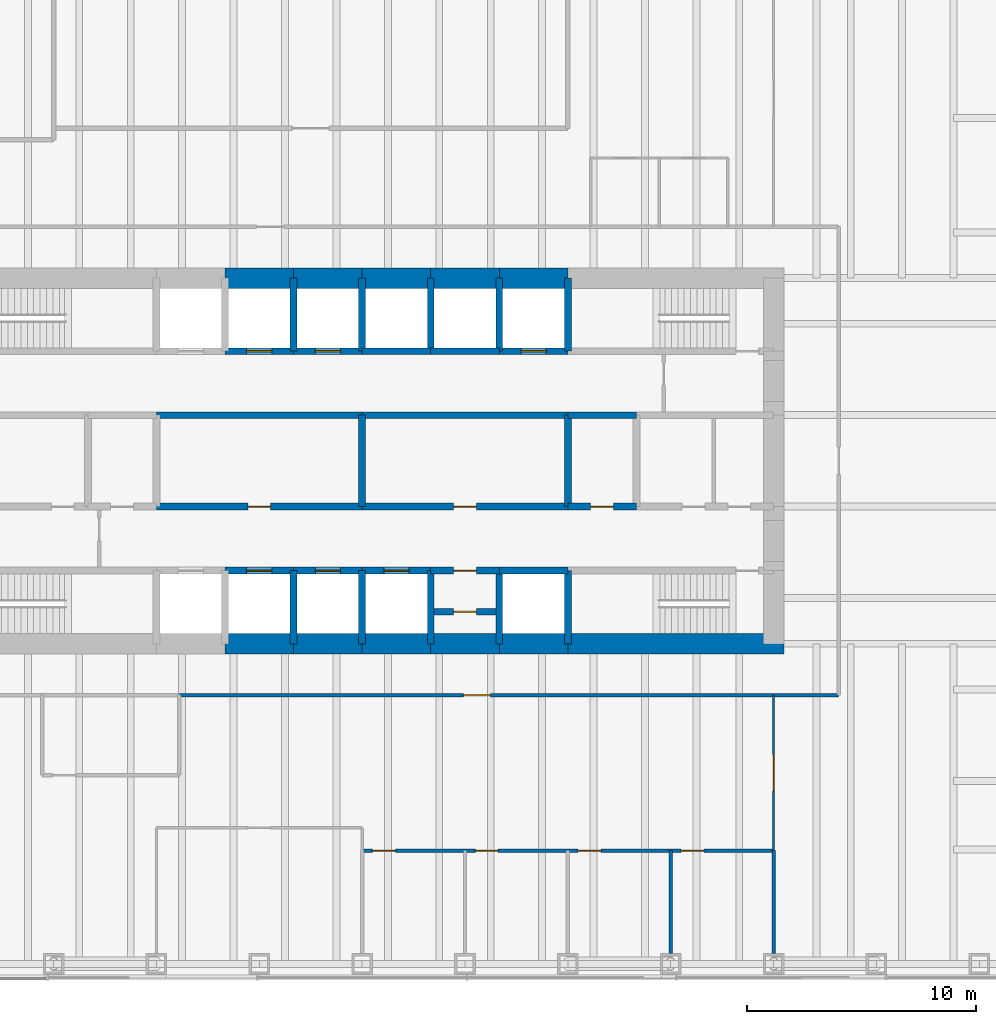
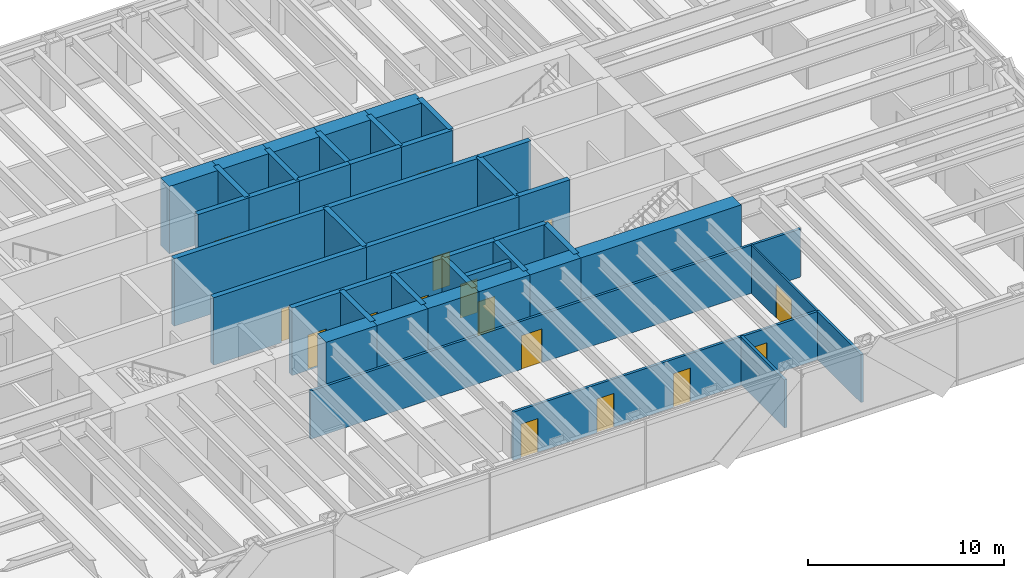
# One storey, part 12 of 15: 45 walls, 17 doors, 17 openings.
"""IFC4 building model written with IfcOpenShell, lengths in metres."""

from ifc_helpers import new_model, si_unit, direction, frame, frame_2d, origin, place, context, subcontext, project, spatial, rectangle, extrude, material, layer, layer_set, type_object, element, fill, save


model = new_model("IFC4")

# Units and contexts
model_context = context("Model", 3, precision=1e-05, world=origin(), true_north=direction((0.0, 1.0)))
body_context = subcontext(model_context, "Body", "Model", "MODEL_VIEW")
ifc_project = project(units=[si_unit("LENGTHUNIT", "METRE"), si_unit("AREAUNIT", "SQUARE_METRE"), si_unit("VOLUMEUNIT", "CUBIC_METRE"), si_unit("PLANEANGLEUNIT", "RADIAN"), si_unit("MASSUNIT", "GRAM", prefix="KILO")], contexts=[model_context])

# Site, building, storey
site_placement = place(None, origin())
site = spatial("IfcSite", under=ifc_project, at=site_placement, CompositionType="ELEMENT")
building_placement = place(site_placement, origin())
building = spatial("IfcBuilding", under=site, at=building_placement, Name="Rheinbord Bourse Tower", CompositionType="ELEMENT")
storey_placement = place(building_placement, frame((0.0, 0.0, 134.10009765625)))
storey = spatial("IfcBuildingStorey", under=building, at=storey_placement, Name="L29", CompositionType="ELEMENT", Elevation=134.10009765625)

# Wall, opening, door
ifc_material_1 = material(Name="Concrete C50/60", Category="concrete")
ifc_layer_1 = layer(ifc_material_1, 0.300048828125)
ifc_layer_set_1 = layer_set([ifc_layer_1], Name="CORE INNER WALL 300")
wall_type_1 = type_object("IfcWallType", Name="CORE INNER WALL 300", PredefinedType="SOLIDWALL", material=ifc_layer_set_1)
wall_1_placement = place(storey_placement, frame((30.0, 19.199951171875, 0.0), z_axis=(0.0, 0.0, 1.0), x_axis=(1.0, 0.0, 0.0)))
wall_1 = element("IfcWall", 1, at=wall_1_placement, inside=storey, type_object=wall_type_1, Name="Core wall A3 L29", PredefinedType="SOLIDWALL", context=body_context, shape_type="SweptSolid", body=[
    extrude(rectangle(XDim=3.0, YDim=0.300048828125, at=frame_2d((1.5, 0.0))), origin(), (0.0, 0.0, 1.0), 4.199951171875),
])
opening_1_placement = place(wall_1_placement, frame((0.949951171875, 0.0, 0.0)))
opening_1 = element("IfcOpeningElement", 2, at=opening_1_placement, cuts=wall_1, Name="Opening PB1", PredefinedType="OPENING", context=body_context, shape_type="SweptSolid", body=[
    extrude(rectangle(XDim=1.10009765625, YDim=2.199951171875, at=frame_2d((0.550048828125, 1.10009765625))), frame((0.0, 0.159912109375, 0.0), z_axis=(0.0, -1.0, 0.0), x_axis=(1.0, 0.0, 0.0)), (0.0, 0.0, 1.0), 0.320068359375),
])
ifc_material_2 = material(Name="Steel landing door", Category="steel")
door_type_1 = type_object("IfcDoorType", Name="LIFT LANDING DOOR 1100", OperationType="DOUBLE_DOOR_SLIDING", PredefinedType="USERDEFINED", material=ifc_material_2)
door_1_placement = place(opening_1_placement, origin())
door_1 = element("IfcDoor", 3, at=door_1_placement, inside=storey, type_object=door_type_1, Name="Lift landing door PB1 L29", ObjectType="LIFT LANDING DOOR", OperationType="DOUBLE_DOOR_SLIDING", OverallHeight=2.199951171875, OverallWidth=1.10009765625, PredefinedType="USERDEFINED", context=body_context, shape_type="SweptSolid", body=[
    extrude(rectangle(XDim=1.10009765625, YDim=2.199951171875, at=frame_2d((0.550048828125, 1.10009765625))), frame((0.0, 0.02490234375, 0.0), z_axis=(0.0, -1.0, 0.0), x_axis=(1.0, 0.0, 0.0)), (0.0, 0.0, 1.0), 0.050048828125),
])
fill(opening_1, door_1)

wall_2_placement = place(storey_placement, frame((33.0, 19.199951171875, 0.0), z_axis=(0.0, 0.0, 1.0), x_axis=(1.0, 0.0, 0.0)))
wall_2 = element("IfcWall", 4, at=wall_2_placement, inside=storey, type_object=wall_type_1, Name="Core wall A4 L29", PredefinedType="SOLIDWALL", context=body_context, shape_type="SweptSolid", body=[
    extrude(rectangle(XDim=3.0, YDim=0.300048828125, at=frame_2d((1.5, 0.0))), origin(), (0.0, 0.0, 1.0), 4.199951171875),
])
opening_2_placement = place(wall_2_placement, frame((0.949951171875, 0.0, 0.0)))
opening_2 = element("IfcOpeningElement", 5, at=opening_2_placement, cuts=wall_2, Name="Opening PB2", PredefinedType="OPENING", context=body_context, shape_type="SweptSolid", body=[
    extrude(rectangle(XDim=1.10009765625, YDim=2.199951171875, at=frame_2d((0.550048828125, 1.10009765625))), frame((0.0, 0.159912109375, 0.0), z_axis=(0.0, -1.0, 0.0), x_axis=(1.0, 0.0, 0.0)), (0.0, 0.0, 1.0), 0.320068359375),
])
door_2_placement = place(opening_2_placement, origin())
door_2 = element("IfcDoor", 6, at=door_2_placement, inside=storey, type_object=door_type_1, Name="Lift landing door PB2 L29", ObjectType="LIFT LANDING DOOR", OperationType="DOUBLE_DOOR_SLIDING", OverallHeight=2.199951171875, OverallWidth=1.10009765625, PredefinedType="USERDEFINED", context=body_context, shape_type="SweptSolid", body=[
    extrude(rectangle(XDim=1.10009765625, YDim=2.199951171875, at=frame_2d((0.550048828125, 1.10009765625))), frame((0.0, 0.02490234375, 0.0), z_axis=(0.0, -1.0, 0.0), x_axis=(1.0, 0.0, 0.0)), (0.0, 0.0, 1.0), 0.050048828125),
])
fill(opening_2, door_2)

wall_3_placement = place(storey_placement, frame((36.0, 19.199951171875, 0.0), z_axis=(0.0, 0.0, 1.0), x_axis=(1.0, 0.0, 0.0)))
wall_3 = element("IfcWall", 7, at=wall_3_placement, inside=storey, type_object=wall_type_1, Name="Core wall A5 L29", PredefinedType="SOLIDWALL", context=body_context, shape_type="SweptSolid", body=[
    extrude(rectangle(XDim=3.0, YDim=0.300048828125, at=frame_2d((1.5, 0.0))), origin(), (0.0, 0.0, 1.0), 4.199951171875),
])
opening_3_placement = place(wall_3_placement, frame((0.949951171875, 0.0, 0.0)))
opening_3 = element("IfcOpeningElement", 8, at=opening_3_placement, cuts=wall_3, Name="Opening PB3", PredefinedType="OPENING", context=body_context, shape_type="SweptSolid", body=[
    extrude(rectangle(XDim=1.10009765625, YDim=2.199951171875, at=frame_2d((0.550048828125, 1.10009765625))), frame((0.0, 0.159912109375, 0.0), z_axis=(0.0, -1.0, 0.0), x_axis=(1.0, 0.0, 0.0)), (0.0, 0.0, 1.0), 0.320068359375),
])
door_3_placement = place(opening_3_placement, origin())
door_3 = element("IfcDoor", 9, at=door_3_placement, inside=storey, type_object=door_type_1, Name="Lift landing door PB3 L29", ObjectType="LIFT LANDING DOOR", OperationType="DOUBLE_DOOR_SLIDING", OverallHeight=2.199951171875, OverallWidth=1.10009765625, PredefinedType="USERDEFINED", context=body_context, shape_type="SweptSolid", body=[
    extrude(rectangle(XDim=1.10009765625, YDim=2.199951171875, at=frame_2d((0.550048828125, 1.10009765625))), frame((0.0, 0.02490234375, 0.0), z_axis=(0.0, -1.0, 0.0), x_axis=(1.0, 0.0, 0.0)), (0.0, 0.0, 1.0), 0.050048828125),
])
fill(opening_3, door_3)

wall_4_placement = place(storey_placement, frame((39.0, 19.199951171875, 0.0), z_axis=(0.0, 0.0, 1.0), x_axis=(1.0, 0.0, 0.0)))
wall_4 = element("IfcWall", 10, at=wall_4_placement, inside=storey, type_object=wall_type_1, Name="Core wall A6 L29", PredefinedType="SOLIDWALL", context=body_context, shape_type="SweptSolid", body=[
    extrude(rectangle(XDim=3.0, YDim=0.300048828125, at=frame_2d((1.5, 0.0))), origin(), (0.0, 0.0, 1.0), 4.199951171875),
])
opening_4_placement = place(wall_4_placement, frame((1.0, 0.0, 0.0)))
opening_4 = element("IfcOpeningElement", 11, at=opening_4_placement, cuts=wall_4, Name="Opening 29R8", PredefinedType="OPENING", context=body_context, shape_type="SweptSolid", body=[
    extrude(rectangle(XDim=1.0, YDim=2.10009765625, at=frame_2d((0.5, 1.050048828125))), frame((0.0, 0.159912109375, 0.0), z_axis=(0.0, -1.0, 0.0), x_axis=(1.0, 0.0, 0.0)), (0.0, 0.0, 1.0), 0.320068359375),
])
ifc_material_3 = material(Name="Steel door", Category="steel")
door_type_2 = type_object("IfcDoorType", Name="DOOR 1000 EI30", OperationType="SINGLE_SWING_LEFT", PredefinedType="DOOR", material=ifc_material_3)
door_4_placement = place(opening_4_placement, origin())
door_4 = element("IfcDoor", 12, at=door_4_placement, inside=storey, type_object=door_type_2, Name="Stationery store door L29", OperationType="SINGLE_SWING_LEFT", OverallHeight=2.10009765625, OverallWidth=1.0, PredefinedType="DOOR", context=body_context, shape_type="SweptSolid", body=[
    extrude(rectangle(XDim=1.0, YDim=2.10009765625, at=frame_2d((0.5, 1.050048828125))), frame((0.0, 0.02490234375, 0.0), z_axis=(0.0, -1.0, 0.0), x_axis=(1.0, 0.0, 0.0)), (0.0, 0.0, 1.0), 0.050048828125),
])
fill(opening_4, door_4)

# Wall
wall_5_placement = place(storey_placement, frame((42.0, 19.199951171875, 0.0), z_axis=(0.0, 0.0, 1.0), x_axis=(1.0, 0.0, 0.0)))
element("IfcWall", 13, at=wall_5_placement, inside=storey, type_object=wall_type_1, Name="Core wall A7 L29", PredefinedType="SOLIDWALL", context=body_context, shape_type="SweptSolid", body=[
    extrude(rectangle(XDim=3.0, YDim=0.300048828125, at=frame_2d((1.5, 0.0))), origin(), (0.0, 0.0, 1.0), 4.199951171875),
])

# Wall, opening, door
wall_6_placement = place(storey_placement, frame((30.0, 28.800048828125, 0.0), z_axis=(0.0, 0.0, 1.0), x_axis=(1.0, 0.0, 0.0)))
wall_6 = element("IfcWall", 14, at=wall_6_placement, inside=storey, type_object=wall_type_1, Name="Core wall B3 L29", PredefinedType="SOLIDWALL", context=body_context, shape_type="SweptSolid", body=[
    extrude(rectangle(XDim=3.0, YDim=0.300048828125, at=frame_2d((1.5, 0.0))), origin(), (0.0, 0.0, 1.0), 4.199951171875),
])
opening_5_placement = place(wall_6_placement, frame((0.949951171875, 0.0, 0.0)))
opening_5 = element("IfcOpeningElement", 15, at=opening_5_placement, cuts=wall_6, Name="Opening PB4", PredefinedType="OPENING", context=body_context, shape_type="SweptSolid", body=[
    extrude(rectangle(XDim=1.10009765625, YDim=2.199951171875, at=frame_2d((0.550048828125, 1.10009765625))), frame((0.0, 0.159912109375, 0.0), z_axis=(0.0, -1.0, 0.0), x_axis=(1.0, 0.0, 0.0)), (0.0, 0.0, 1.0), 0.320068359375),
])
door_5_placement = place(opening_5_placement, origin())
door_5 = element("IfcDoor", 16, at=door_5_placement, inside=storey, type_object=door_type_1, Name="Lift landing door PB4 L29", ObjectType="LIFT LANDING DOOR", OperationType="DOUBLE_DOOR_SLIDING", OverallHeight=2.199951171875, OverallWidth=1.10009765625, PredefinedType="USERDEFINED", context=body_context, shape_type="SweptSolid", body=[
    extrude(rectangle(XDim=1.10009765625, YDim=2.199951171875, at=frame_2d((0.550048828125, 1.10009765625))), frame((0.0, 0.02490234375, 0.0), z_axis=(0.0, -1.0, 0.0), x_axis=(1.0, 0.0, 0.0)), (0.0, 0.0, 1.0), 0.050048828125),
])
fill(opening_5, door_5)

wall_7_placement = place(storey_placement, frame((33.0, 28.800048828125, 0.0), z_axis=(0.0, 0.0, 1.0), x_axis=(1.0, 0.0, 0.0)))
wall_7 = element("IfcWall", 17, at=wall_7_placement, inside=storey, type_object=wall_type_1, Name="Core wall B4 L29", PredefinedType="SOLIDWALL", context=body_context, shape_type="SweptSolid", body=[
    extrude(rectangle(XDim=3.0, YDim=0.300048828125, at=frame_2d((1.5, 0.0))), origin(), (0.0, 0.0, 1.0), 4.199951171875),
])
opening_6_placement = place(wall_7_placement, frame((0.949951171875, 0.0, 0.0)))
opening_6 = element("IfcOpeningElement", 18, at=opening_6_placement, cuts=wall_7, Name="Opening PB5", PredefinedType="OPENING", context=body_context, shape_type="SweptSolid", body=[
    extrude(rectangle(XDim=1.10009765625, YDim=2.199951171875, at=frame_2d((0.550048828125, 1.10009765625))), frame((0.0, 0.159912109375, 0.0), z_axis=(0.0, -1.0, 0.0), x_axis=(1.0, 0.0, 0.0)), (0.0, 0.0, 1.0), 0.320068359375),
])
door_6_placement = place(opening_6_placement, origin())
door_6 = element("IfcDoor", 19, at=door_6_placement, inside=storey, type_object=door_type_1, Name="Lift landing door PB5 L29", ObjectType="LIFT LANDING DOOR", OperationType="DOUBLE_DOOR_SLIDING", OverallHeight=2.199951171875, OverallWidth=1.10009765625, PredefinedType="USERDEFINED", context=body_context, shape_type="SweptSolid", body=[
    extrude(rectangle(XDim=1.10009765625, YDim=2.199951171875, at=frame_2d((0.550048828125, 1.10009765625))), frame((0.0, 0.02490234375, 0.0), z_axis=(0.0, -1.0, 0.0), x_axis=(1.0, 0.0, 0.0)), (0.0, 0.0, 1.0), 0.050048828125),
])
fill(opening_6, door_6)

# Walls
for number, where, z_axis, x_axis, name in (
    (20, (36.0, 28.800048828125, 0.0), (0.0, 0.0, 1.0), (1.0, 0.0, 0.0), "Core wall B5 L29"),
    (21, (39.0, 28.800048828125, 0.0), (0.0, 0.0, 1.0), (1.0, 0.0, 0.0), "Core wall B6 L29"),
):
    element("IfcWall", number, at=place(storey_placement, frame(where, z_axis=z_axis, x_axis=x_axis)), inside=storey, type_object=wall_type_1, Name=name, PredefinedType="SOLIDWALL", context=body_context, shape_type="SweptSolid", body=[
        extrude(rectangle(XDim=3.0, YDim=0.300048828125, at=frame_2d((1.5, 0.0))), origin(), (0.0, 0.0, 1.0), 4.199951171875),
    ])

# Wall, opening, door
wall_8_placement = place(storey_placement, frame((42.0, 28.800048828125, 0.0), z_axis=(0.0, 0.0, 1.0), x_axis=(1.0, 0.0, 0.0)))
wall_8 = element("IfcWall", 22, at=wall_8_placement, inside=storey, type_object=wall_type_1, Name="Core wall B7 L29", PredefinedType="SOLIDWALL", context=body_context, shape_type="SweptSolid", body=[
    extrude(rectangle(XDim=3.0, YDim=0.300048828125, at=frame_2d((1.5, 0.0))), origin(), (0.0, 0.0, 1.0), 4.199951171875),
])
opening_7_placement = place(wall_8_placement, frame((0.949951171875, 0.0, 0.0)))
opening_7 = element("IfcOpeningElement", 23, at=opening_7_placement, cuts=wall_8, Name="Opening FL2", PredefinedType="OPENING", context=body_context, shape_type="SweptSolid", body=[
    extrude(rectangle(XDim=1.10009765625, YDim=2.199951171875, at=frame_2d((0.550048828125, 1.10009765625))), frame((0.0, 0.159912109375, 0.0), z_axis=(0.0, -1.0, 0.0), x_axis=(1.0, 0.0, 0.0)), (0.0, 0.0, 1.0), 0.320068359375),
])
door_7_placement = place(opening_7_placement, origin())
door_7 = element("IfcDoor", 24, at=door_7_placement, inside=storey, type_object=door_type_1, Name="Lift landing door FL2 L29", ObjectType="LIFT LANDING DOOR", OperationType="DOUBLE_DOOR_SLIDING", OverallHeight=2.199951171875, OverallWidth=1.10009765625, PredefinedType="USERDEFINED", context=body_context, shape_type="SweptSolid", body=[
    extrude(rectangle(XDim=1.10009765625, YDim=2.199951171875, at=frame_2d((0.550048828125, 1.10009765625))), frame((0.0, 0.02490234375, 0.0), z_axis=(0.0, -1.0, 0.0), x_axis=(1.0, 0.0, 0.0)), (0.0, 0.0, 1.0), 0.050048828125),
])
fill(opening_7, door_7)

wall_9_placement = place(storey_placement, frame((27.0, 22.0, 0.0), z_axis=(0.0, 0.0, 1.0), x_axis=(1.0, 0.0, 0.0)))
wall_9 = element("IfcWall", 25, at=wall_9_placement, inside=storey, type_object=wall_type_1, Name="Core wall C3 L29", PredefinedType="SOLIDWALL", context=body_context, shape_type="SweptSolid", body=[
    extrude(rectangle(XDim=9.0, YDim=0.300048828125, at=frame_2d((4.5, 0.0))), origin(), (0.0, 0.0, 1.0), 4.199951171875),
])
opening_8_placement = place(wall_9_placement, frame((4.0, 0.0, 0.0)))
opening_8 = element("IfcOpeningElement", 26, at=opening_8_placement, cuts=wall_9, Name="Opening 29R3", PredefinedType="OPENING", context=body_context, shape_type="SweptSolid", body=[
    extrude(rectangle(XDim=1.0, YDim=2.10009765625, at=frame_2d((0.5, 1.050048828125))), frame((0.0, 0.159912109375, 0.0), z_axis=(0.0, -1.0, 0.0), x_axis=(1.0, 0.0, 0.0)), (0.0, 0.0, 1.0), 0.320068359375),
])
door_8_placement = place(opening_8_placement, origin())
door_8 = element("IfcDoor", 27, at=door_8_placement, inside=storey, type_object=door_type_2, Name="Riser door L29", OperationType="SINGLE_SWING_LEFT", OverallHeight=2.10009765625, OverallWidth=1.0, PredefinedType="DOOR", context=body_context, shape_type="SweptSolid", body=[
    extrude(rectangle(XDim=1.0, YDim=2.10009765625, at=frame_2d((0.5, 1.050048828125))), frame((0.0, 0.02490234375, 0.0), z_axis=(0.0, -1.0, 0.0), x_axis=(1.0, 0.0, 0.0)), (0.0, 0.0, 1.0), 0.050048828125),
])
fill(opening_8, door_8)

wall_10_placement = place(storey_placement, frame((36.0, 22.0, 0.0), z_axis=(0.0, 0.0, 1.0), x_axis=(1.0, 0.0, 0.0)))
wall_10 = element("IfcWall", 28, at=wall_10_placement, inside=storey, type_object=wall_type_1, Name="Core wall C4 L29", PredefinedType="SOLIDWALL", context=body_context, shape_type="SweptSolid", body=[
    extrude(rectangle(XDim=9.0, YDim=0.300048828125, at=frame_2d((4.5, 0.0))), origin(), (0.0, 0.0, 1.0), 4.199951171875),
])
opening_9_placement = place(wall_10_placement, frame((4.0, 0.0, 0.0)))
opening_9 = element("IfcOpeningElement", 29, at=opening_9_placement, cuts=wall_10, Name="Opening 29R4", PredefinedType="OPENING", context=body_context, shape_type="SweptSolid", body=[
    extrude(rectangle(XDim=1.0, YDim=2.10009765625, at=frame_2d((0.5, 1.050048828125))), frame((0.0, 0.159912109375, 0.0), z_axis=(0.0, -1.0, 0.0), x_axis=(1.0, 0.0, 0.0)), (0.0, 0.0, 1.0), 0.320068359375),
])
door_9_placement = place(opening_9_placement, origin())
door_9 = element("IfcDoor", 30, at=door_9_placement, inside=storey, type_object=door_type_2, Name="Store door L29", OperationType="SINGLE_SWING_LEFT", OverallHeight=2.10009765625, OverallWidth=1.0, PredefinedType="DOOR", context=body_context, shape_type="SweptSolid", body=[
    extrude(rectangle(XDim=1.0, YDim=2.10009765625, at=frame_2d((0.5, 1.050048828125))), frame((0.0, 0.02490234375, 0.0), z_axis=(0.0, -1.0, 0.0), x_axis=(1.0, 0.0, 0.0)), (0.0, 0.0, 1.0), 0.050048828125),
])
fill(opening_9, door_9)

wall_11_placement = place(storey_placement, frame((45.0, 22.0, 0.0), z_axis=(0.0, 0.0, 1.0), x_axis=(1.0, 0.0, 0.0)))
wall_11 = element("IfcWall", 31, at=wall_11_placement, inside=storey, type_object=wall_type_1, Name="Core wall C5 L29", PredefinedType="SOLIDWALL", context=body_context, shape_type="SweptSolid", body=[
    extrude(rectangle(XDim=3.0, YDim=0.300048828125, at=frame_2d((1.5, 0.0))), origin(), (0.0, 0.0, 1.0), 4.199951171875),
])
opening_10_placement = place(wall_11_placement, frame((1.0, 0.0, 0.0)))
opening_10 = element("IfcOpeningElement", 32, at=opening_10_placement, cuts=wall_11, Name="Opening 29R5", PredefinedType="OPENING", context=body_context, shape_type="SweptSolid", body=[
    extrude(rectangle(XDim=1.0, YDim=2.10009765625, at=frame_2d((0.5, 1.050048828125))), frame((0.0, 0.159912109375, 0.0), z_axis=(0.0, -1.0, 0.0), x_axis=(1.0, 0.0, 0.0)), (0.0, 0.0, 1.0), 0.320068359375),
])
ifc_material_4 = material(Name="Timber door", Category="wood")
door_type_3 = type_object("IfcDoorType", Name="DOOR 1000 WC", OperationType="SINGLE_SWING_LEFT", PredefinedType="DOOR", material=ifc_material_4)
door_10_placement = place(opening_10_placement, origin())
door_10 = element("IfcDoor", 33, at=door_10_placement, inside=storey, type_object=door_type_3, Name="Accessible WC door L29", OperationType="SINGLE_SWING_LEFT", OverallHeight=2.10009765625, OverallWidth=1.0, PredefinedType="DOOR", context=body_context, shape_type="SweptSolid", body=[
    extrude(rectangle(XDim=1.0, YDim=2.10009765625, at=frame_2d((0.5, 1.050048828125))), frame((0.0, 0.02490234375, 0.0), z_axis=(0.0, -1.0, 0.0), x_axis=(1.0, 0.0, 0.0)), (0.0, 0.0, 1.0), 0.050048828125),
])
fill(opening_10, door_10)

# Walls
for number, where, z_axis, x_axis, name in (
    (34, (27.0, 26.0, 0.0), (0.0, 0.0, 1.0), (1.0, 0.0, 0.0), "Core wall D3 L29"),
    (35, (36.0, 26.0, 0.0), (0.0, 0.0, 1.0), (1.0, 0.0, 0.0), "Core wall D4 L29"),
):
    element("IfcWall", number, at=place(storey_placement, frame(where, z_axis=z_axis, x_axis=x_axis)), inside=storey, type_object=wall_type_1, Name=name, PredefinedType="SOLIDWALL", context=body_context, shape_type="SweptSolid", body=[
        extrude(rectangle(XDim=9.0, YDim=0.300048828125, at=frame_2d((4.5, 0.0))), origin(), (0.0, 0.0, 1.0), 4.199951171875),
    ])
wall_12_placement = place(storey_placement, frame((45.0, 26.0, 0.0), z_axis=(0.0, 0.0, 1.0), x_axis=(1.0, 0.0, 0.0)))
element("IfcWall", 36, at=wall_12_placement, inside=storey, type_object=wall_type_1, Name="Core wall D5 L29", PredefinedType="SOLIDWALL", context=body_context, shape_type="SweptSolid", body=[
    extrude(rectangle(XDim=3.0, YDim=0.300048828125, at=frame_2d((1.5, 0.0))), origin(), (0.0, 0.0, 1.0), 4.199951171875),
])
for number, where, z_axis, x_axis, name in (
    (37, (33.0, 16.0, 0.0), (0.0, 0.0, 1.0), (0.0, 1.0, 0.0), "Core wall SX33 L29"),
    (38, (33.0, 28.800048828125, 0.0), (0.0, 0.0, 1.0), (0.0, 1.0, 0.0), "Core wall NX33 L29"),
    (39, (36.0, 16.0, 0.0), (0.0, 0.0, 1.0), (0.0, 1.0, 0.0), "Core wall SX36 L29"),
    (40, (36.0, 28.800048828125, 0.0), (0.0, 0.0, 1.0), (0.0, 1.0, 0.0), "Core wall NX36 L29"),
    (41, (39.0, 16.0, 0.0), (0.0, 0.0, 1.0), (0.0, 1.0, 0.0), "Core wall SX39 L29"),
    (42, (39.0, 28.800048828125, 0.0), (0.0, 0.0, 1.0), (0.0, 1.0, 0.0), "Core wall NX39 L29"),
    (43, (42.0, 16.0, 0.0), (0.0, 0.0, 1.0), (0.0, 1.0, 0.0), "Core wall SX42 L29"),
    (44, (42.0, 28.800048828125, 0.0), (0.0, 0.0, 1.0), (0.0, 1.0, 0.0), "Core wall NX42 L29"),
    (45, (45.0, 16.0, 0.0), (0.0, 0.0, 1.0), (0.0, 1.0, 0.0), "Core wall SX45 L29"),
    (46, (45.0, 28.800048828125, 0.0), (0.0, 0.0, 1.0), (0.0, 1.0, 0.0), "Core wall NX45 L29"),
):
    element("IfcWall", number, at=place(storey_placement, frame(where, z_axis=z_axis, x_axis=x_axis)), inside=storey, type_object=wall_type_1, Name=name, PredefinedType="SOLIDWALL", context=body_context, shape_type="SweptSolid", body=[
        extrude(rectangle(XDim=3.199951171875, YDim=0.300048828125, at=frame_2d((1.60009765625, 0.0))), origin(), (0.0, 0.0, 1.0), 4.199951171875),
    ])
for number, where, z_axis, x_axis, name in (
    (47, (36.0, 22.0, 0.0), (0.0, 0.0, 1.0), (0.0, 1.0, 0.0), "Core wall MX36 L29"),
    (48, (45.0, 22.0, 0.0), (0.0, 0.0, 1.0), (0.0, 1.0, 0.0), "Core wall MX45 L29"),
):
    element("IfcWall", number, at=place(storey_placement, frame(where, z_axis=z_axis, x_axis=x_axis)), inside=storey, type_object=wall_type_1, Name=name, PredefinedType="SOLIDWALL", context=body_context, shape_type="SweptSolid", body=[
        extrude(rectangle(XDim=4.0, YDim=0.300048828125, at=frame_2d((2.0, 0.0))), origin(), (0.0, 0.0, 1.0), 4.199951171875),
    ])

# Wall, opening, door
wall_13_placement = place(storey_placement, frame((39.14990234375, 17.39990234375, 0.0), z_axis=(0.0, 0.0, 1.0), x_axis=(1.0, 0.0, 0.0)))
wall_13 = element("IfcWall", 49, at=wall_13_placement, inside=storey, type_object=wall_type_1, Name="Core riser wall L29-6", PredefinedType="SOLIDWALL", context=body_context, shape_type="SweptSolid", body=[
    extrude(rectangle(XDim=2.7001953125, YDim=0.300048828125, at=frame_2d((1.35009765625, 0.0))), origin(), (0.0, 0.0, 1.0), 4.039794921875),
])
opening_11_placement = place(wall_13_placement, frame((0.85009765625, 0.0, 0.0)))
opening_11 = element("IfcOpeningElement", 50, at=opening_11_placement, cuts=wall_13, Name="Opening 29R12", PredefinedType="OPENING", context=body_context, shape_type="SweptSolid", body=[
    extrude(rectangle(XDim=1.0, YDim=2.10009765625, at=frame_2d((0.5, 1.050048828125))), frame((0.0, 0.159912109375, 0.0), z_axis=(0.0, -1.0, 0.0), x_axis=(1.0, 0.0, 0.0)), (0.0, 0.0, 1.0), 0.320068359375),
])
door_11_placement = place(opening_11_placement, origin())
door_11 = element("IfcDoor", 51, at=door_11_placement, inside=storey, type_object=door_type_2, Name="Comms riser door L29", OperationType="SINGLE_SWING_LEFT", OverallHeight=2.10009765625, OverallWidth=1.0, PredefinedType="DOOR", context=body_context, shape_type="SweptSolid", body=[
    extrude(rectangle(XDim=1.0, YDim=2.10009765625, at=frame_2d((0.5, 1.050048828125))), frame((0.0, 0.02490234375, 0.0), z_axis=(0.0, -1.0, 0.0), x_axis=(1.0, 0.0, 0.0)), (0.0, 0.0, 1.0), 0.050048828125),
])
fill(opening_11, door_11)

# Walls
ifc_material_5 = material(Name="Concrete C50/60", Category="concrete")
ifc_layer_2 = layer(ifc_material_5, 0.89990234375)
ifc_layer_set_2 = layer_set([ifc_layer_2], Name="CORE WALL 900")
wall_type_2 = type_object("IfcWallType", Name="CORE WALL 900", PredefinedType="SHEAR", material=ifc_layer_set_2)
for number, where, z_axis, x_axis, name in (
    (52, (30.0, 16.0, 0.0), (0.0, 0.0, 1.0), (1.0, 0.0, 0.0), "Core wall S3 L29"),
    (53, (33.0, 16.0, 0.0), (0.0, 0.0, 1.0), (1.0, 0.0, 0.0), "Core wall S4 L29"),
    (54, (36.0, 16.0, 0.0), (0.0, 0.0, 1.0), (1.0, 0.0, 0.0), "Core wall S5 L29"),
    (55, (39.0, 16.0, 0.0), (0.0, 0.0, 1.0), (1.0, 0.0, 0.0), "Core wall S6 L29"),
    (56, (42.0, 16.0, 0.0), (0.0, 0.0, 1.0), (1.0, 0.0, 0.0), "Core wall S7 L29"),
):
    element("IfcWall", number, at=place(storey_placement, frame(where, z_axis=z_axis, x_axis=x_axis)), inside=storey, type_object=wall_type_2, Name=name, PredefinedType="SHEAR", context=body_context, shape_type="SweptSolid", body=[
        extrude(rectangle(XDim=3.0, YDim=0.89990234375, at=frame_2d((1.5, 0.0))), origin(), (0.0, 0.0, 1.0), 4.199951171875),
    ])
wall_14_placement = place(storey_placement, frame((45.0, 16.0, 0.0), z_axis=(0.0, 0.0, 1.0), x_axis=(1.0, 0.0, 0.0)))
element("IfcWall", 57, at=wall_14_placement, inside=storey, type_object=wall_type_2, Name="Core wall S8 L29", PredefinedType="SHEAR", context=body_context, shape_type="SweptSolid", body=[
    extrude(rectangle(XDim=9.449951171875, YDim=0.89990234375, at=frame_2d((4.72509765625, 0.0))), origin(), (0.0, 0.0, 1.0), 4.199951171875),
])
for number, where, z_axis, x_axis, name in (
    (58, (45.0, 32.0, 0.0), (0.0, 0.0, 1.0), (-1.0, 0.0, 0.0), "Core wall N2 L29"),
    (59, (42.0, 32.0, 0.0), (0.0, 0.0, 1.0), (-1.0, 0.0, 0.0), "Core wall N3 L29"),
    (60, (39.0, 32.0, 0.0), (0.0, 0.0, 1.0), (-1.0, 0.0, 0.0), "Core wall N4 L29"),
    (61, (36.0, 32.0, 0.0), (0.0, 0.0, 1.0), (-1.0, 0.0, 0.0), "Core wall N5 L29"),
    (62, (33.0, 32.0, 0.0), (0.0, 0.0, 1.0), (-1.0, 0.0, 0.0), "Core wall N6 L29"),
):
    element("IfcWall", number, at=place(storey_placement, frame(where, z_axis=z_axis, x_axis=x_axis)), inside=storey, type_object=wall_type_2, Name=name, PredefinedType="SHEAR", context=body_context, shape_type="SweptSolid", body=[
        extrude(rectangle(XDim=3.0, YDim=0.89990234375, at=frame_2d((1.5, 0.0))), origin(), (0.0, 0.0, 1.0), 4.199951171875),
    ])

# Wall, opening, door
ifc_material_6 = material(Name="Gypsum board corridor partition", Category="gypsum board")
ifc_layer_3 = layer(ifc_material_6, 0.14990234375)
ifc_layer_set_3 = layer_set([ifc_layer_3], Name="CORRIDOR PARTITION 150 EI30")
wall_type_3 = type_object("IfcWallType", Name="CORRIDOR PARTITION 150 EI30", PredefinedType="PARTITIONING", material=ifc_layer_set_3)
wall_15_placement = place(storey_placement, frame((28.0, 13.75, 0.0), z_axis=(0.0, 0.0, 1.0), x_axis=(1.0, 0.0, 0.0)))
wall_15 = element("IfcWall", 63, at=wall_15_placement, inside=storey, type_object=wall_type_3, Name="Partition L29-10", PredefinedType="PARTITIONING", context=body_context, shape_type="SweptSolid", body=[
    extrude(rectangle(XDim=28.85009765625, YDim=0.14990234375, at=frame_2d((14.425048828125, 0.0))), origin(), (0.0, 0.0, 1.0), 3.0),
])
opening_12_placement = place(wall_15_placement, frame((12.425048828125, 0.0, 0.0)))
opening_12 = element("IfcOpeningElement", 64, at=opening_12_placement, cuts=wall_15, Name="Opening 29D23", PredefinedType="OPENING", context=body_context, shape_type="SweptSolid", body=[
    extrude(rectangle(XDim=1.199951171875, YDim=2.10009765625, at=frame_2d((0.60009765625, 1.050048828125))), frame((0.0, 0.0849609375, 0.0), z_axis=(0.0, -1.0, 0.0), x_axis=(1.0, 0.0, 0.0)), (0.0, 0.0, 1.0), 0.169921875),
])
ifc_material_7 = material(Name="Timber fire door", Category="wood")
door_type_4 = type_object("IfcDoorType", Name="SUITE ENTRANCE DOOR 1200 EI30", OperationType="SINGLE_SWING_LEFT", PredefinedType="DOOR", material=ifc_material_7)
door_12_placement = place(opening_12_placement, origin())
door_12 = element("IfcDoor", 65, at=door_12_placement, inside=storey, type_object=door_type_4, Name="Suite entrance 3 door L29", OperationType="SINGLE_SWING_LEFT", OverallHeight=2.10009765625, OverallWidth=1.199951171875, PredefinedType="DOOR", context=body_context, shape_type="SweptSolid", body=[
    extrude(rectangle(XDim=1.199951171875, YDim=2.10009765625, at=frame_2d((0.60009765625, 1.050048828125))), frame((0.0, 0.02490234375, 0.0), z_axis=(0.0, -1.0, 0.0), x_axis=(1.0, 0.0, 0.0)), (0.0, 0.0, 1.0), 0.050048828125),
])
fill(opening_12, door_12)

ifc_material_8 = material(Name="Toughened laminated glass partition", Category="glass")
ifc_layer_4 = layer(ifc_material_8, 0.10009765625)
ifc_layer_set_4 = layer_set([ifc_layer_4], Name="GLAZED PARTITION 100")
wall_type_4 = type_object("IfcWallType", Name="GLAZED PARTITION 100", PredefinedType="PARTITIONING", material=ifc_layer_set_4)
wall_16_placement = place(storey_placement, frame((54.0, 6.949951171875, 0.0), z_axis=(0.0, 0.0, 1.0), x_axis=(0.0, 1.0, 0.0)))
wall_16 = element("IfcWall", 66, at=wall_16_placement, inside=storey, type_object=wall_type_4, Name="Partition L29-39", PredefinedType="PARTITIONING", context=body_context, shape_type="SweptSolid", body=[
    extrude(rectangle(XDim=6.800048828125, YDim=0.10009765625, at=frame_2d((3.39990234375, 0.0))), origin(), (0.0, 0.0, 1.0), 3.0),
])
opening_13_placement = place(wall_16_placement, frame((2.60009765625, 0.0, 0.0)))
opening_13 = element("IfcOpeningElement", 67, at=opening_13_placement, cuts=wall_16, Name="Opening 29D19", PredefinedType="OPENING", context=body_context, shape_type="SweptSolid", body=[
    extrude(rectangle(XDim=1.60009765625, YDim=2.10009765625, at=frame_2d((0.800048828125, 1.050048828125))), frame((0.0, 0.06005859375, 0.0), z_axis=(0.0, -1.0, 0.0), x_axis=(1.0, 0.0, 0.0)), (0.0, 0.0, 1.0), 0.1201171875),
])
ifc_material_9 = material(Name="Timber door", Category="wood")
door_type_5 = type_object("IfcDoorType", Name="DOUBLE ROOM DOOR 1600", OperationType="DOUBLE_DOOR_DOUBLE_SWING", PredefinedType="DOOR", material=ifc_material_9)
door_13_placement = place(opening_13_placement, origin())
door_13 = element("IfcDoor", 68, at=door_13_placement, inside=storey, type_object=door_type_5, Name="Open area door L29", OperationType="SINGLE_SWING_LEFT", OverallHeight=2.10009765625, OverallWidth=1.60009765625, PredefinedType="DOOR", context=body_context, shape_type="SweptSolid", body=[
    extrude(rectangle(XDim=1.60009765625, YDim=2.10009765625, at=frame_2d((0.800048828125, 1.050048828125))), frame((0.0, 0.02490234375, 0.0), z_axis=(0.0, -1.0, 0.0), x_axis=(1.0, 0.0, 0.0)), (0.0, 0.0, 1.0), 0.050048828125),
])
fill(opening_13, door_13)

# Wall, openings, doors
ifc_material_10 = material(Name="Gypsum board partition", Category="gypsum board")
ifc_layer_5 = layer(ifc_material_10, 0.14990234375)
ifc_layer_set_5 = layer_set([ifc_layer_5], Name="PARTITION 150")
wall_type_5 = type_object("IfcWallType", Name="PARTITION 150", PredefinedType="PARTITIONING", material=ifc_layer_set_5)
wall_17_placement = place(storey_placement, frame((36.0, 6.949951171875, 0.0), z_axis=(0.0, 0.0, 1.0), x_axis=(1.0, 0.0, 0.0)))
wall_17 = element("IfcWall", 69, at=wall_17_placement, inside=storey, type_object=wall_type_5, Name="Partition L29-01", PredefinedType="PARTITIONING", context=body_context, shape_type="SweptSolid", body=[
    extrude(rectangle(XDim=18.0, YDim=0.14990234375, at=frame_2d((9.0, 0.0))), origin(), (0.0, 0.0, 1.0), 3.0),
])
opening_14_placement = place(wall_17_placement, frame((0.449951171875, 0.0, 0.0)))
opening_14 = element("IfcOpeningElement", 70, at=opening_14_placement, cuts=wall_17, Name="Opening 29D01", PredefinedType="OPENING", context=body_context, shape_type="SweptSolid", body=[
    extrude(rectangle(XDim=1.0, YDim=2.10009765625, at=frame_2d((0.5, 1.050048828125))), frame((0.0, 0.0849609375, 0.0), z_axis=(0.0, -1.0, 0.0), x_axis=(1.0, 0.0, 0.0)), (0.0, 0.0, 1.0), 0.169921875),
])
opening_15_placement = place(wall_17_placement, frame((4.949951171875, 0.0, 0.0)))
opening_15 = element("IfcOpeningElement", 71, at=opening_15_placement, cuts=wall_17, Name="Opening 29D02", PredefinedType="OPENING", context=body_context, shape_type="SweptSolid", body=[
    extrude(rectangle(XDim=1.0, YDim=2.10009765625, at=frame_2d((0.5, 1.050048828125))), frame((0.0, 0.0849609375, 0.0), z_axis=(0.0, -1.0, 0.0), x_axis=(1.0, 0.0, 0.0)), (0.0, 0.0, 1.0), 0.169921875),
])
opening_16_placement = place(wall_17_placement, frame((9.449951171875, 0.0, 0.0)))
opening_16 = element("IfcOpeningElement", 72, at=opening_16_placement, cuts=wall_17, Name="Opening 29D03", PredefinedType="OPENING", context=body_context, shape_type="SweptSolid", body=[
    extrude(rectangle(XDim=1.0, YDim=2.10009765625, at=frame_2d((0.5, 1.050048828125))), frame((0.0, 0.0849609375, 0.0), z_axis=(0.0, -1.0, 0.0), x_axis=(1.0, 0.0, 0.0)), (0.0, 0.0, 1.0), 0.169921875),
])
opening_17_placement = place(wall_17_placement, frame((13.949951171875, 0.0, 0.0)))
opening_17 = element("IfcOpeningElement", 73, at=opening_17_placement, cuts=wall_17, Name="Opening 29D04", PredefinedType="OPENING", context=body_context, shape_type="SweptSolid", body=[
    extrude(rectangle(XDim=1.0, YDim=2.10009765625, at=frame_2d((0.5, 1.050048828125))), frame((0.0, 0.0849609375, 0.0), z_axis=(0.0, -1.0, 0.0), x_axis=(1.0, 0.0, 0.0)), (0.0, 0.0, 1.0), 0.169921875),
])
ifc_material_11 = material(Name="Timber door", Category="wood")
door_type_6 = type_object("IfcDoorType", Name="ROOM DOOR 1000", OperationType="SINGLE_SWING_LEFT", PredefinedType="DOOR", material=ifc_material_11)
door_14_placement = place(opening_14_placement, origin())
door_14 = element("IfcDoor", 74, at=door_14_placement, inside=storey, type_object=door_type_6, Name="Office door L29", OperationType="SINGLE_SWING_LEFT", OverallHeight=2.10009765625, OverallWidth=1.0, PredefinedType="DOOR", context=body_context, shape_type="SweptSolid", body=[
    extrude(rectangle(XDim=1.0, YDim=2.10009765625, at=frame_2d((0.5, 1.050048828125))), frame((0.0, 0.02490234375, 0.0), z_axis=(0.0, -1.0, 0.0), x_axis=(1.0, 0.0, 0.0)), (0.0, 0.0, 1.0), 0.050048828125),
])
fill(opening_14, door_14)
door_15_placement = place(opening_15_placement, origin())
door_15 = element("IfcDoor", 75, at=door_15_placement, inside=storey, type_object=door_type_6, Name="Office door L29", OperationType="SINGLE_SWING_LEFT", OverallHeight=2.10009765625, OverallWidth=1.0, PredefinedType="DOOR", context=body_context, shape_type="SweptSolid", body=[
    extrude(rectangle(XDim=1.0, YDim=2.10009765625, at=frame_2d((0.5, 1.050048828125))), frame((0.0, 0.02490234375, 0.0), z_axis=(0.0, -1.0, 0.0), x_axis=(1.0, 0.0, 0.0)), (0.0, 0.0, 1.0), 0.050048828125),
])
fill(opening_15, door_15)
door_16_placement = place(opening_16_placement, origin())
door_16 = element("IfcDoor", 76, at=door_16_placement, inside=storey, type_object=door_type_6, Name="Office door L29", OperationType="SINGLE_SWING_RIGHT", OverallHeight=2.10009765625, OverallWidth=1.0, PredefinedType="DOOR", context=body_context, shape_type="SweptSolid", body=[
    extrude(rectangle(XDim=1.0, YDim=2.10009765625, at=frame_2d((0.5, 1.050048828125))), frame((0.0, 0.02490234375, 0.0), z_axis=(0.0, -1.0, 0.0), x_axis=(1.0, 0.0, 0.0)), (0.0, 0.0, 1.0), 0.050048828125),
])
fill(opening_16, door_16)
door_17_placement = place(opening_17_placement, origin())
door_17 = element("IfcDoor", 77, at=door_17_placement, inside=storey, type_object=door_type_6, Name="Office door L29", OperationType="SINGLE_SWING_RIGHT", OverallHeight=2.10009765625, OverallWidth=1.0, PredefinedType="DOOR", context=body_context, shape_type="SweptSolid", body=[
    extrude(rectangle(XDim=1.0, YDim=2.10009765625, at=frame_2d((0.5, 1.050048828125))), frame((0.0, 0.02490234375, 0.0), z_axis=(0.0, -1.0, 0.0), x_axis=(1.0, 0.0, 0.0)), (0.0, 0.0, 1.0), 0.050048828125),
])
fill(opening_17, door_17)

# Walls
for number, where, z_axis, x_axis, name in (
    (78, (49.5, 2.449951171875, 0.0), (0.0, 0.0, 1.0), (0.0, 1.0, 0.0), "Partition L29-36"),
    (79, (54.0, 2.449951171875, 0.0), (0.0, 0.0, 1.0), (0.0, 1.0, 0.0), "Partition L29-38"),
):
    element("IfcWall", number, at=place(storey_placement, frame(where, z_axis=z_axis, x_axis=x_axis)), inside=storey, type_object=wall_type_5, Name=name, PredefinedType="PARTITIONING", context=body_context, shape_type="SweptSolid", body=[
        extrude(rectangle(XDim=4.5, YDim=0.14990234375, at=frame_2d((2.25, 0.0))), origin(), (0.0, 0.0, 1.0), 3.0),
    ])

save(model, "model.ifc")
